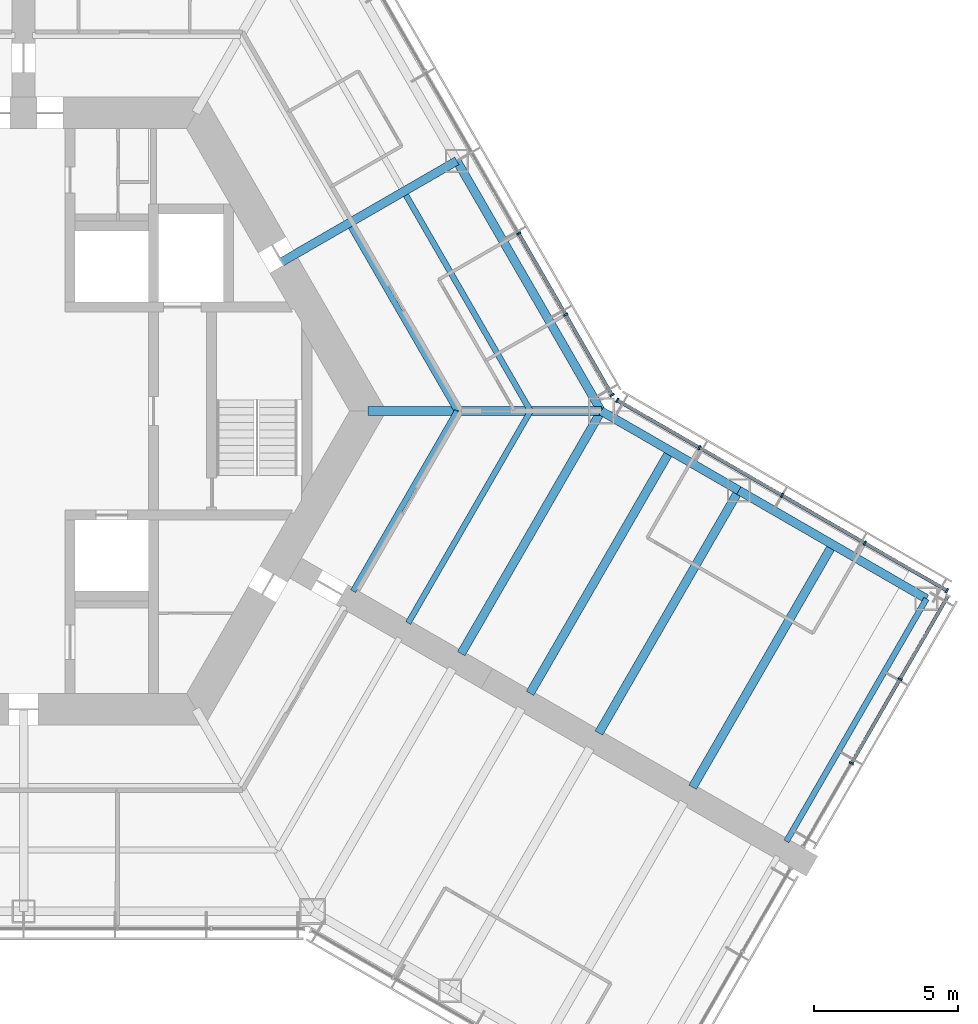
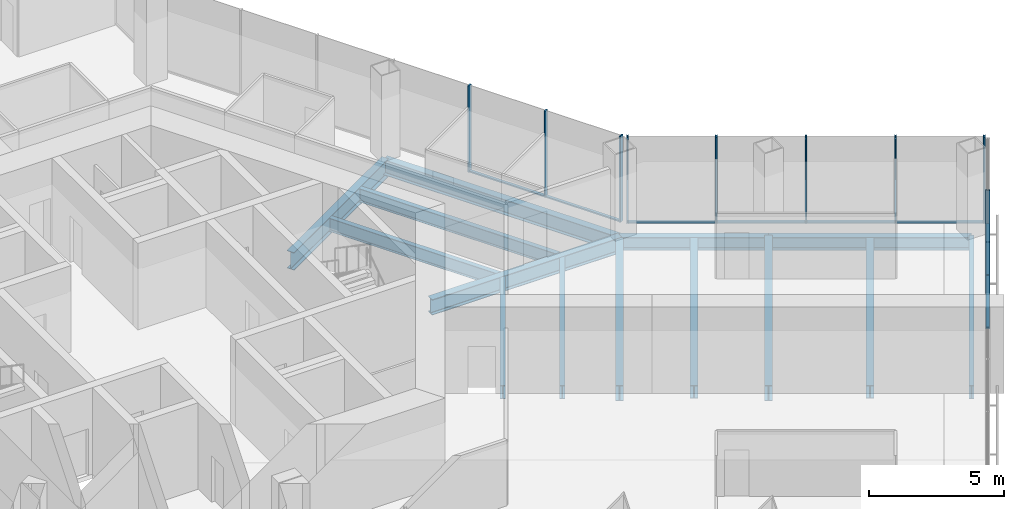
# One storey, part 6 of 18: 18 members, 14 beams, 3 elements without a shape of their own.
"""IFC4 building model written with IfcOpenShell, lengths in metres."""

from ifc_helpers import new_model, si_unit, direction, frame, origin, origin_2d, place, context, subcontext, project, spatial, rectangle, i_section, extrude, material, material_profile, profile_set, type_object, element, aggregate, save


model = new_model("IFC4")

# Units and contexts
model_context = context("Model", 3, precision=1e-05, world=origin(), true_north=direction((0.0, 1.0)))
body_context = subcontext(model_context, "Body", "Model", "MODEL_VIEW")
ifc_project = project(units=[si_unit("LENGTHUNIT", "METRE"), si_unit("AREAUNIT", "SQUARE_METRE"), si_unit("VOLUMEUNIT", "CUBIC_METRE"), si_unit("PLANEANGLEUNIT", "RADIAN"), si_unit("MASSUNIT", "GRAM", prefix="KILO")], contexts=[model_context])

# Site, building, storey
site_placement = place(None, origin())
site = spatial("IfcSite", under=ifc_project, at=site_placement, CompositionType="ELEMENT")
building_placement = place(site_placement, origin())
building = spatial("IfcBuilding", under=site, at=building_placement, Name="Kasaneha Research Tower", CompositionType="ELEMENT")
storey_placement = place(building_placement, frame((0.0, 0.0, 65.10009765625)))
storey = spatial("IfcBuildingStorey", under=building, at=storey_placement, Name="L16", CompositionType="ELEMENT", Elevation=65.10009765625)

# Beams
ifc_material_1 = material(Name="Steel SN490B", Category="steel")
ifc_material_profile_1 = material_profile(ifc_material_1, i_section(OverallWidth=0.199951171875, OverallDepth=0.60009765625, WebThickness=0.010986328125, FlangeThickness=0.01708984375, FilletRadius=0.012939453125, at=origin_2d()), Name="H-600x200x11x17")
ifc_profile_set_1 = profile_set([ifc_material_profile_1], Name="Steel SN490B")
beam_type_1 = type_object("IfcBeamType", Name="B1-3 secondary beam H-600x200x11x17", PredefinedType="JOIST", material=ifc_profile_set_1)
beam_1_placement = place(storey_placement, frame((15.010986328125, 0.0, -0.4501953125), z_axis=(-0.499994443168, 0.866028611999, 0.0), x_axis=(-0.866028611999, -0.499994443168, 0.0)))
element("IfcBeam", 1, at=beam_1_placement, inside=storey, type_object=beam_type_1, Name="Secondary beam RS030L1 L16", PredefinedType="JOIST", context=body_context, shape_type="SweptSolid", body=[
    extrude(i_section(OverallWidth=0.199951171875, OverallDepth=0.60009765625, WebThickness=0.010986328125, FlangeThickness=0.01708984375, FilletRadius=0.012939453125, at=origin_2d()), origin(), (0.0, 0.0, 1.0), 7.35546875),
])
beam_2_placement = place(storey_placement, frame((17.551513671875, 0.0, -0.4501953125), z_axis=(-0.5000050195, 0.866022505755, 0.0), x_axis=(-0.866022505755, -0.5000050195, 0.0)))
element("IfcBeam", 2, at=beam_2_placement, inside=storey, type_object=beam_type_1, Name="Secondary beam RS030L2 L16", PredefinedType="JOIST", context=body_context, shape_type="SweptSolid", body=[
    extrude(i_section(OverallWidth=0.199951171875, OverallDepth=0.60009765625, WebThickness=0.010986328125, FlangeThickness=0.01708984375, FilletRadius=0.012939453125, at=origin_2d()), origin(), (0.0, 0.0, 1.0), 8.6259765625),
])
beam_3_placement = place(storey_placement, frame((15.010986328125, 0.0, -0.4501953125), z_axis=(-0.499972735707, -0.866041144259, 0.0), x_axis=(0.866041144259, -0.499972735707, 0.0)))
element("IfcBeam", 3, at=beam_3_placement, inside=storey, type_object=beam_type_1, Name="Secondary beam RS330R1 L16", PredefinedType="JOIST", context=body_context, shape_type="SweptSolid", body=[
    extrude(i_section(OverallWidth=0.199951171875, OverallDepth=0.60009765625, WebThickness=0.010986328125, FlangeThickness=0.01708984375, FilletRadius=0.012939453125, at=origin_2d()), origin(), (0.0, 0.0, 1.0), 7.20556640625),
])
beam_4_placement = place(storey_placement, frame((17.551513671875, 0.0, -0.4501953125), z_axis=(-0.500020829043, -0.866013377797, 0.0), x_axis=(0.866013377797, -0.500020829043, 0.0)))
element("IfcBeam", 4, at=beam_4_placement, inside=storey, type_object=beam_type_1, Name="Secondary beam RS330R2 L16", PredefinedType="JOIST", context=body_context, shape_type="SweptSolid", body=[
    extrude(i_section(OverallWidth=0.199951171875, OverallDepth=0.60009765625, WebThickness=0.010986328125, FlangeThickness=0.01708984375, FilletRadius=0.012939453125, at=origin_2d()), origin(), (0.0, 0.0, 1.0), 8.475830078125),
])
ifc_material_2 = material(Name="Steel SN490B", Category="steel")
ifc_material_profile_2 = material_profile(ifc_material_2, i_section(OverallWidth=0.300048828125, OverallDepth=0.58203125, WebThickness=0.011962890625, FlangeThickness=0.01708984375, FilletRadius=0.012939453125, at=origin_2d()), Name="H-582x300x12x17")
ifc_profile_set_2 = profile_set([ifc_material_profile_2], Name="Steel SN490B")
beam_type_2 = type_object("IfcBeamType", Name="B2-3 secondary beam H-582x300x12x17", PredefinedType="JOIST", material=ifc_profile_set_2)
for number, where, z_axis, x_axis, name in (
    (5, (22.381591796875, -1.375, -0.441162109375), (-0.500010041276, -0.866019606374, 0.0), (0.866019606374, -0.500010041276, 0.0), "Secondary beam WBCN1 L16"),
    (6, (28.0107421875, -4.625, -0.441162109375), (-0.500010041276, -0.866019606374, 0.0), (0.866019606374, -0.500010041276, 0.0), "Secondary beam WBCN2 L16"),
):
    element("IfcBeam", number, at=place(storey_placement, frame(where, z_axis=z_axis, x_axis=x_axis)), inside=storey, type_object=beam_type_2, Name=name, PredefinedType="JOIST", context=body_context, shape_type="SweptSolid", body=[
        extrude(i_section(OverallWidth=0.300048828125, OverallDepth=0.58203125, WebThickness=0.011962890625, FlangeThickness=0.01708984375, FilletRadius=0.012939453125, at=origin_2d()), origin(), (0.0, 0.0, 1.0), 9.699951171875),
    ])

# Curtain wall, members
ifc_material_3 = material(Name="Glass and aluminium", Category="aluminium")
curtain_wall_type = type_object("IfcCurtainWallType", Name="Low-rise office curtain wall", PredefinedType="USERDEFINED", material=ifc_material_3)
curtain_wall_1_placement = place(storey_placement, origin())
curtain_wall_1 = element("IfcCurtainWall", 7, at=curtain_wall_1_placement, inside=storey, type_object=curtain_wall_type, Name="CW-O1 L16 run 05a", ObjectType="UNITISED CURTAIN WALL", PredefinedType="USERDEFINED")
ifc_material_4 = material(Name="Aluminium 6063-T6", Category="aluminium")
ifc_material_profile_3 = material_profile(ifc_material_4, rectangle(XDim=0.06005859375, YDim=0.159912109375, at=origin_2d()), Name="CW-O1 mullion 60x160")
ifc_profile_set_3 = profile_set([ifc_material_profile_3], Name="Aluminium 6063-T6")
member_type_1 = type_object("IfcMemberType", Name="CW-O1 mullion", PredefinedType="MULLION", material=ifc_profile_set_3)
member_1_placement = place(storey_placement, frame((28.661376953125, -12.1982421875, 0.0), z_axis=(0.0, 0.0, 1.0), x_axis=(0.500000011442, 0.866025397178, 0.0)))
member_1 = element("IfcMember", 8, at=member_1_placement, type_object=member_type_1, Name="CW-O1 mullion 2", PredefinedType="MULLION", context=body_context, shape_type="SweptSolid", body=[
    extrude(rectangle(XDim=0.06005859375, YDim=0.159912109375, at=origin_2d()), origin(), (0.0, 0.0, 1.0), 3.89990234375),
])
member_2_placement = place(storey_placement, frame((30.3447265625, -9.28271484375, 0.0), z_axis=(0.0, 0.0, 1.0), x_axis=(0.500000011442, 0.866025397178, 0.0)))
member_2 = element("IfcMember", 9, at=member_2_placement, type_object=member_type_1, Name="CW-O1 mullion 3", PredefinedType="MULLION", context=body_context, shape_type="SweptSolid", body=[
    extrude(rectangle(XDim=0.06005859375, YDim=0.159912109375, at=origin_2d()), origin(), (0.0, 0.0, 1.0), 3.89990234375),
])

curtain_wall_2_placement = place(storey_placement, origin())
curtain_wall_2 = element("IfcCurtainWall", 10, at=curtain_wall_2_placement, inside=storey, type_object=curtain_wall_type, Name="CW-O1 L16 run 06a", ObjectType="UNITISED CURTAIN WALL", PredefinedType="USERDEFINED")
member_3_placement = place(storey_placement, frame((31.96533203125, -6.21533203125, 0.0), z_axis=(0.0, 0.0, 1.0), x_axis=(-0.866025411464, 0.499999986699, 0.0)))
member_3 = element("IfcMember", 11, at=member_3_placement, type_object=member_type_1, Name="CW-O1 mullion 1", PredefinedType="MULLION", context=body_context, shape_type="SweptSolid", body=[
    extrude(rectangle(XDim=0.06005859375, YDim=0.159912109375, at=origin_2d()), origin(), (0.0, 0.0, 1.0), 3.89990234375),
])
member_4_placement = place(storey_placement, frame((29.125, -4.575439453125, 0.0), z_axis=(0.0, 0.0, 1.0), x_axis=(-0.866025411464, 0.499999986699, 0.0)))
member_4 = element("IfcMember", 12, at=member_4_placement, type_object=member_type_1, Name="CW-O1 mullion 2", PredefinedType="MULLION", context=body_context, shape_type="SweptSolid", body=[
    extrude(rectangle(XDim=0.06005859375, YDim=0.159912109375, at=origin_2d()), origin(), (0.0, 0.0, 1.0), 3.89990234375),
])
member_5_placement = place(storey_placement, frame((26.258544921875, -2.920654296875, 0.0), z_axis=(0.0, 0.0, 1.0), x_axis=(-0.866025411464, 0.499999986699, 0.0)))
member_5 = element("IfcMember", 13, at=member_5_placement, type_object=member_type_1, Name="CW-O1 mullion 3", PredefinedType="MULLION", context=body_context, shape_type="SweptSolid", body=[
    extrude(rectangle(XDim=0.06005859375, YDim=0.159912109375, at=origin_2d()), origin(), (0.0, 0.0, 1.0), 3.89990234375),
])
member_6_placement = place(storey_placement, frame((23.39208984375, -1.265625, 0.0), z_axis=(0.0, 0.0, 1.0), x_axis=(-0.866025411464, 0.499999986699, 0.0)))
member_6 = element("IfcMember", 14, at=member_6_placement, type_object=member_type_1, Name="CW-O1 mullion 4", PredefinedType="MULLION", context=body_context, shape_type="SweptSolid", body=[
    extrude(rectangle(XDim=0.06005859375, YDim=0.159912109375, at=origin_2d()), origin(), (0.0, 0.0, 1.0), 3.89990234375),
])
member_7_placement = place(storey_placement, frame((20.5517578125, 0.374267578125, 0.0), z_axis=(0.0, 0.0, 1.0), x_axis=(-0.866025411464, 0.499999986699, 0.0)))
member_7 = element("IfcMember", 15, at=member_7_placement, type_object=member_type_1, Name="CW-O1 mullion 5", PredefinedType="MULLION", context=body_context, shape_type="SweptSolid", body=[
    extrude(rectangle(XDim=0.06005859375, YDim=0.159912109375, at=origin_2d()), origin(), (0.0, 0.0, 1.0), 3.89990234375),
])

curtain_wall_3_placement = place(storey_placement, origin())
curtain_wall_3 = element("IfcCurtainWall", 16, at=curtain_wall_3_placement, inside=storey, type_object=curtain_wall_type, Name="CW-O1 L16 run 07a", ObjectType="UNITISED CURTAIN WALL", PredefinedType="USERDEFINED")
member_8_placement = place(storey_placement, frame((20.374267578125, 0.5517578125, 0.0), z_axis=(0.0, 0.0, 1.0), x_axis=(-0.49999996188, 0.866025425793, 0.0)))
member_8 = element("IfcMember", 17, at=member_8_placement, type_object=member_type_1, Name="CW-O1 mullion 1", PredefinedType="MULLION", context=body_context, shape_type="SweptSolid", body=[
    extrude(rectangle(XDim=0.06005859375, YDim=0.159912109375, at=origin_2d()), origin(), (0.0, 0.0, 1.0), 3.89990234375),
])
member_9_placement = place(storey_placement, frame((18.76611328125, 3.33740234375, 0.0), z_axis=(0.0, 0.0, 1.0), x_axis=(-0.49999996188, 0.866025425793, 0.0)))
member_9 = element("IfcMember", 18, at=member_9_placement, type_object=member_type_1, Name="CW-O1 mullion 2", PredefinedType="MULLION", context=body_context, shape_type="SweptSolid", body=[
    extrude(rectangle(XDim=0.06005859375, YDim=0.159912109375, at=origin_2d()), origin(), (0.0, 0.0, 1.0), 3.89990234375),
])
member_10_placement = place(storey_placement, frame((17.142822265625, 6.148681640625, 0.0), z_axis=(0.0, 0.0, 1.0), x_axis=(-0.49999996188, 0.866025425793, 0.0)))
member_10 = element("IfcMember", 19, at=member_10_placement, type_object=member_type_1, Name="CW-O1 mullion 3", PredefinedType="MULLION", context=body_context, shape_type="SweptSolid", body=[
    extrude(rectangle(XDim=0.06005859375, YDim=0.159912109375, at=origin_2d()), origin(), (0.0, 0.0, 1.0), 3.89990234375),
])

# Member
ifc_material_5 = material(Name="Aluminium 6063-T6", Category="aluminium")
ifc_material_profile_4 = material_profile(ifc_material_5, rectangle(XDim=0.1201171875, YDim=0.06005859375, at=origin_2d()), Name="CW-O1 transom 120x60")
ifc_profile_set_4 = profile_set([ifc_material_profile_4], Name="Aluminium 6063-T6")
member_type_2 = type_object("IfcMemberType", Name="CW-O1 transom", PredefinedType="USERDEFINED", material=ifc_profile_set_4)
member_11_placement = place(storey_placement, frame((28.67626953125, -12.17236328125, 0.02978515625), z_axis=(0.499982354831, 0.866035590988, 0.0), x_axis=(-0.866035590988, 0.499982354831, 0.0)))
member_11 = element("IfcMember", 20, at=member_11_placement, type_object=member_type_2, Name="CW-O1 transom 2", ObjectType="TRANSOM", PredefinedType="USERDEFINED", context=body_context, shape_type="SweptSolid", body=[
    extrude(rectangle(XDim=0.1201171875, YDim=0.06005859375, at=origin_2d()), origin(), (0.0, 0.0, 1.0), 3.306640625),
])

member_12_placement = place(storey_placement, frame((30.359619140625, -9.256591796875, 0.02978515625), z_axis=(0.500025583411, 0.866010632691, 0.0), x_axis=(-0.866010632691, 0.500025583411, 0.0)))
member_12 = element("IfcMember", 21, at=member_12_placement, type_object=member_type_2, Name="CW-O1 transom 3", ObjectType="TRANSOM", PredefinedType="USERDEFINED", context=body_context, shape_type="SweptSolid", body=[
    extrude(rectangle(XDim=0.1201171875, YDim=0.06005859375, at=origin_2d()), origin(), (0.0, 0.0, 1.0), 3.276611328125),
])

aggregate(curtain_wall_1, [member_1, member_2, member_11, member_12])

member_13_placement = place(storey_placement, frame((31.939453125, -6.200439453125, 0.02978515625), z_axis=(-0.866041647767, 0.499971863542, 0.0), x_axis=(-0.499971863542, -0.866041647767, 0.0)))
member_13 = element("IfcMember", 22, at=member_13_placement, type_object=member_type_2, Name="CW-O1 transom 1", ObjectType="TRANSOM", PredefinedType="USERDEFINED", context=body_context, shape_type="SweptSolid", body=[
    extrude(rectangle(XDim=0.1201171875, YDim=0.06005859375, at=origin_2d()), origin(), (0.0, 0.0, 1.0), 3.219970703125),
])

member_14_placement = place(storey_placement, frame((29.098876953125, -4.560546875, 0.02978515625), z_axis=(-0.86599666273, 0.500049777664, 0.0), x_axis=(-0.500049777664, -0.86599666273, 0.0)))
member_14 = element("IfcMember", 23, at=member_14_placement, type_object=member_type_2, Name="CW-O1 transom 2", ObjectType="TRANSOM", PredefinedType="USERDEFINED", context=body_context, shape_type="SweptSolid", body=[
    extrude(rectangle(XDim=0.1201171875, YDim=0.06005859375, at=origin_2d()), origin(), (0.0, 0.0, 1.0), 3.249755859375),
])

member_15_placement = place(storey_placement, frame((26.232666015625, -2.905517578125, 0.02978515625), z_axis=(-0.86604797581, 0.499960902066, 0.0), x_axis=(-0.499960902066, -0.86604797581, 0.0)))
member_15 = element("IfcMember", 24, at=member_15_placement, type_object=member_type_2, Name="CW-O1 transom 3", ObjectType="TRANSOM", PredefinedType="USERDEFINED", context=body_context, shape_type="SweptSolid", body=[
    extrude(rectangle(XDim=0.1201171875, YDim=0.06005859375, at=origin_2d()), origin(), (0.0, 0.0, 1.0), 3.249755859375),
])

member_16_placement = place(storey_placement, frame((23.3662109375, -1.250732421875, 0.02978515625), z_axis=(-0.866022692473, 0.500004696101, 0.0), x_axis=(-0.500004696101, -0.866022692473, 0.0)))
member_16 = element("IfcMember", 25, at=member_16_placement, type_object=member_type_2, Name="CW-O1 transom 4", ObjectType="TRANSOM", PredefinedType="USERDEFINED", context=body_context, shape_type="SweptSolid", body=[
    extrude(rectangle(XDim=0.1201171875, YDim=0.06005859375, at=origin_2d()), origin(), (0.0, 0.0, 1.0), 3.2197265625),
])

aggregate(curtain_wall_2, [member_3, member_4, member_5, member_6, member_7, member_13, member_14, member_15, member_16])

member_17_placement = place(storey_placement, frame((20.359130859375, 0.577880859375, 0.02978515625), z_axis=(-0.499999210213, 0.866025859768, 0.0), x_axis=(-0.866025859768, -0.499999210213, 0.0)))
member_17 = element("IfcMember", 26, at=member_17_placement, type_object=member_type_2, Name="CW-O1 transom 1", ObjectType="TRANSOM", PredefinedType="USERDEFINED", context=body_context, shape_type="SweptSolid", body=[
    extrude(rectangle(XDim=0.1201171875, YDim=0.06005859375, at=origin_2d()), origin(), (0.0, 0.0, 1.0), 3.15625),
])

member_18_placement = place(storey_placement, frame((18.7509765625, 3.36328125, 0.02978515625), z_axis=(-0.500012062035, 0.866018439653, 0.0), x_axis=(-0.866018439653, -0.500012062035, 0.0)))
member_18 = element("IfcMember", 27, at=member_18_placement, type_object=member_type_2, Name="CW-O1 transom 2", ObjectType="TRANSOM", PredefinedType="USERDEFINED", context=body_context, shape_type="SweptSolid", body=[
    extrude(rectangle(XDim=0.1201171875, YDim=0.06005859375, at=origin_2d()), origin(), (0.0, 0.0, 1.0), 3.1865234375),
])

aggregate(curtain_wall_3, [member_8, member_9, member_10, member_17, member_18])

# Beams
ifc_material_6 = material(Name="Steel SN490B", Category="steel")
ifc_material_profile_5 = material_profile(ifc_material_6, i_section(OverallWidth=0.300048828125, OverallDepth=0.699951171875, WebThickness=0.012939453125, FlangeThickness=0.02392578125, FilletRadius=0.01806640625, at=origin_2d()), Name="H-700x300x13x24")
ifc_profile_set_5 = profile_set([ifc_material_profile_5], Name="Steel SN490B")
beam_type_3 = type_object("IfcBeamType", Name="G1-3 radial girder H-700x300x13x24", PredefinedType="BEAM", material=ifc_profile_set_5)
beam_5_placement = place(storey_placement, frame((11.92236328125, 0.0, -0.5), z_axis=(1.0, 0.0, 0.0), x_axis=(0.0, 1.0, 0.0)))
element("IfcBeam", 28, at=beam_5_placement, inside=storey, type_object=beam_type_3, Name="Radial girder RV000 L16", PredefinedType="BEAM", context=body_context, shape_type="SweptSolid", body=[
    extrude(i_section(OverallWidth=0.300048828125, OverallDepth=0.699951171875, WebThickness=0.012939453125, FlangeThickness=0.02392578125, FilletRadius=0.01806640625, at=origin_2d()), origin(), (0.0, 0.0, 1.0), 8.07763671875),
])
ifc_material_7 = material(Name="Steel SN490B", Category="steel")
ifc_material_profile_6 = material_profile(ifc_material_7, i_section(OverallWidth=0.300048828125, OverallDepth=0.800048828125, WebThickness=0.013916015625, FlangeThickness=0.02587890625, FilletRadius=0.01806640625, at=origin_2d()), Name="H-800x300x14x26")
ifc_profile_set_6 = profile_set([ifc_material_profile_6], Name="Steel SN490B")
beam_type_4 = type_object("IfcBeamType", Name="G2-3 radial girder H-800x300x14x26", PredefinedType="BEAM", material=ifc_profile_set_6)
beam_6_placement = place(storey_placement, frame((8.941650390625, 5.16259765625, -0.550048828125), z_axis=(0.866039713508, 0.499975214012, 0.0), x_axis=(-0.499975214012, 0.866039713508, 0.0)))
element("IfcBeam", 29, at=beam_6_placement, inside=storey, type_object=beam_type_4, Name="Radial girder RM030 L16", PredefinedType="BEAM", context=body_context, shape_type="SweptSolid", body=[
    extrude(i_section(OverallWidth=0.300048828125, OverallDepth=0.800048828125, WebThickness=0.013916015625, FlangeThickness=0.02587890625, FilletRadius=0.01806640625, at=origin_2d()), origin(), (0.0, 0.0, 1.0), 6.995361328125),
])
ifc_material_8 = material(Name="Steel SN490B", Category="steel")
ifc_material_profile_7 = material_profile(ifc_material_8, i_section(OverallWidth=0.300048828125, OverallDepth=0.69189453125, WebThickness=0.012939453125, FlangeThickness=0.02001953125, FilletRadius=0.01806640625, at=origin_2d()), Name="H-692x300x13x20")
ifc_profile_set_7 = profile_set([ifc_material_profile_7], Name="Steel SN490B")
beam_type_5 = type_object("IfcBeamType", Name="G3-3 plate edge girder H-692x300x13x20", PredefinedType="BEAM", material=ifc_profile_set_7)
beam_7_placement = place(storey_placement, frame((20.0, 0.0, -0.49609375), z_axis=(-0.500010041276, -0.866019606374, 0.0), x_axis=(0.866019606374, -0.500010041276, 0.0)))
element("IfcBeam", 30, at=beam_7_placement, inside=storey, type_object=beam_type_5, Name="Plate edge girder PECN L16", PredefinedType="BEAM", context=body_context, shape_type="SweptSolid", body=[
    extrude(i_section(OverallWidth=0.300048828125, OverallDepth=0.69189453125, WebThickness=0.012939453125, FlangeThickness=0.02001953125, FilletRadius=0.01806640625, at=origin_2d()), origin(), (0.0, 0.0, 1.0), 9.699951171875),
])
ifc_material_9 = material(Name="Steel SN490B", Category="steel")
ifc_material_profile_8 = material_profile(ifc_material_9, i_section(OverallWidth=0.300048828125, OverallDepth=0.699951171875, WebThickness=0.012939453125, FlangeThickness=0.02392578125, FilletRadius=0.01806640625, at=origin_2d()), Name="H-700x300x13x24")
ifc_profile_set_8 = profile_set([ifc_material_profile_8], Name="Steel SN490B")
beam_type_6 = type_object("IfcBeamType", Name="G4-3 wing girder H-700x300x13x24", PredefinedType="BEAM", material=ifc_profile_set_8)
beam_8_placement = place(storey_placement, frame((24.76318359375, -2.75, -0.5), z_axis=(-0.500010041276, -0.866019606374, 0.0), x_axis=(0.866019606374, -0.500010041276, 0.0)))
element("IfcBeam", 31, at=beam_8_placement, inside=storey, type_object=beam_type_6, Name="Wing girder WGCN L16", PredefinedType="BEAM", context=body_context, shape_type="SweptSolid", body=[
    extrude(i_section(OverallWidth=0.300048828125, OverallDepth=0.699951171875, WebThickness=0.012939453125, FlangeThickness=0.02392578125, FilletRadius=0.01806640625, at=origin_2d()), origin(), (0.0, 0.0, 1.0), 9.699951171875),
])
ifc_material_10 = material(Name="Steel SN490B", Category="steel")
ifc_material_profile_9 = material_profile(ifc_material_10, i_section(OverallWidth=0.300048828125, OverallDepth=0.69189453125, WebThickness=0.012939453125, FlangeThickness=0.02001953125, FilletRadius=0.01806640625, at=origin_2d()), Name="H-692x300x13x20")
ifc_profile_set_9 = profile_set([ifc_material_profile_9], Name="Steel SN490B")
beam_type_7 = type_object("IfcBeamType", Name="SB1-3 spandrel beam H-692x300x13x20", PredefinedType="SPANDREL", material=ifc_profile_set_9)
beam_9_placement = place(storey_placement, frame((20.0, 0.0, -0.49609375), z_axis=(-0.500004234368, 0.866022959057, 0.0), x_axis=(-0.866022959057, -0.500004234368, 0.0)))
element("IfcBeam", 32, at=beam_9_placement, inside=storey, type_object=beam_type_7, Name="Spandrel beam SR030L L16", PredefinedType="SPANDREL", context=body_context, shape_type="SweptSolid", body=[
    extrude(i_section(OverallWidth=0.300048828125, OverallDepth=0.69189453125, WebThickness=0.012939453125, FlangeThickness=0.02001953125, FilletRadius=0.01806640625, at=origin_2d()), origin(), (0.0, 0.0, 1.0), 10.0),
])
ifc_material_11 = material(Name="Steel SN490B", Category="steel")
ifc_material_profile_10 = material_profile(ifc_material_11, i_section(OverallWidth=0.300048828125, OverallDepth=0.58203125, WebThickness=0.011962890625, FlangeThickness=0.01708984375, FilletRadius=0.012939453125, at=origin_2d()), Name="H-582x300x12x17")
ifc_profile_set_10 = profile_set([ifc_material_profile_10], Name="Steel SN490B")
beam_type_8 = type_object("IfcBeamType", Name="SB2-3 spandrel beam H-582x300x12x17", PredefinedType="SPANDREL", material=ifc_profile_set_10)
beam_10_placement = place(storey_placement, frame((20.0, 0.0, -0.441162109375), z_axis=(0.866027397988, -0.499996545922, 0.0), x_axis=(0.499996545922, 0.866027397988, 0.0)))
element("IfcBeam", 33, at=beam_10_placement, inside=storey, type_object=beam_type_8, Name="Spandrel beam WSCN1 L16", PredefinedType="SPANDREL", context=body_context, shape_type="SweptSolid", body=[
    extrude(i_section(OverallWidth=0.300048828125, OverallDepth=0.58203125, WebThickness=0.011962890625, FlangeThickness=0.01708984375, FilletRadius=0.012939453125, at=origin_2d()), origin(), (0.0, 0.0, 1.0), 5.5),
])
beam_11_placement = place(storey_placement, frame((24.76318359375, -2.75, -0.441162109375), z_axis=(0.866022959057, -0.500004234368, 0.0), x_axis=(0.500004234368, 0.866022959057, 0.0)))
element("IfcBeam", 34, at=beam_11_placement, inside=storey, type_object=beam_type_8, Name="Spandrel beam WSCN2 L16", PredefinedType="SPANDREL", context=body_context, shape_type="SweptSolid", body=[
    extrude(i_section(OverallWidth=0.300048828125, OverallDepth=0.58203125, WebThickness=0.011962890625, FlangeThickness=0.01708984375, FilletRadius=0.012939453125, at=origin_2d()), origin(), (0.0, 0.0, 1.0), 7.5),
])
ifc_material_12 = material(Name="Steel SN490B", Category="steel")
ifc_material_profile_11 = material_profile(ifc_material_12, i_section(OverallWidth=0.199951171875, OverallDepth=0.60009765625, WebThickness=0.010986328125, FlangeThickness=0.01708984375, FilletRadius=0.012939453125, at=origin_2d()), Name="H-600x200x11x17")
ifc_profile_set_11 = profile_set([ifc_material_profile_11], Name="Steel SN490B")
beam_type_9 = type_object("IfcBeamType", Name="SB3-3 spandrel beam H-600x200x11x17", PredefinedType="SPANDREL", material=ifc_profile_set_11)
beam_12_placement = place(storey_placement, frame((31.25830078125, -6.5, -0.4501953125), z_axis=(-0.499991164321, -0.866030505006, 0.0), x_axis=(0.866030505006, -0.499991164321, 0.0)))
element("IfcBeam", 35, at=beam_12_placement, inside=storey, type_object=beam_type_9, Name="Spandrel beam WTCN L16", PredefinedType="SPANDREL", context=body_context, shape_type="SweptSolid", body=[
    extrude(i_section(OverallWidth=0.199951171875, OverallDepth=0.60009765625, WebThickness=0.010986328125, FlangeThickness=0.01708984375, FilletRadius=0.012939453125, at=origin_2d()), origin(), (0.0, 0.0, 1.0), 9.699951171875),
])

save(model, "model.ifc")
